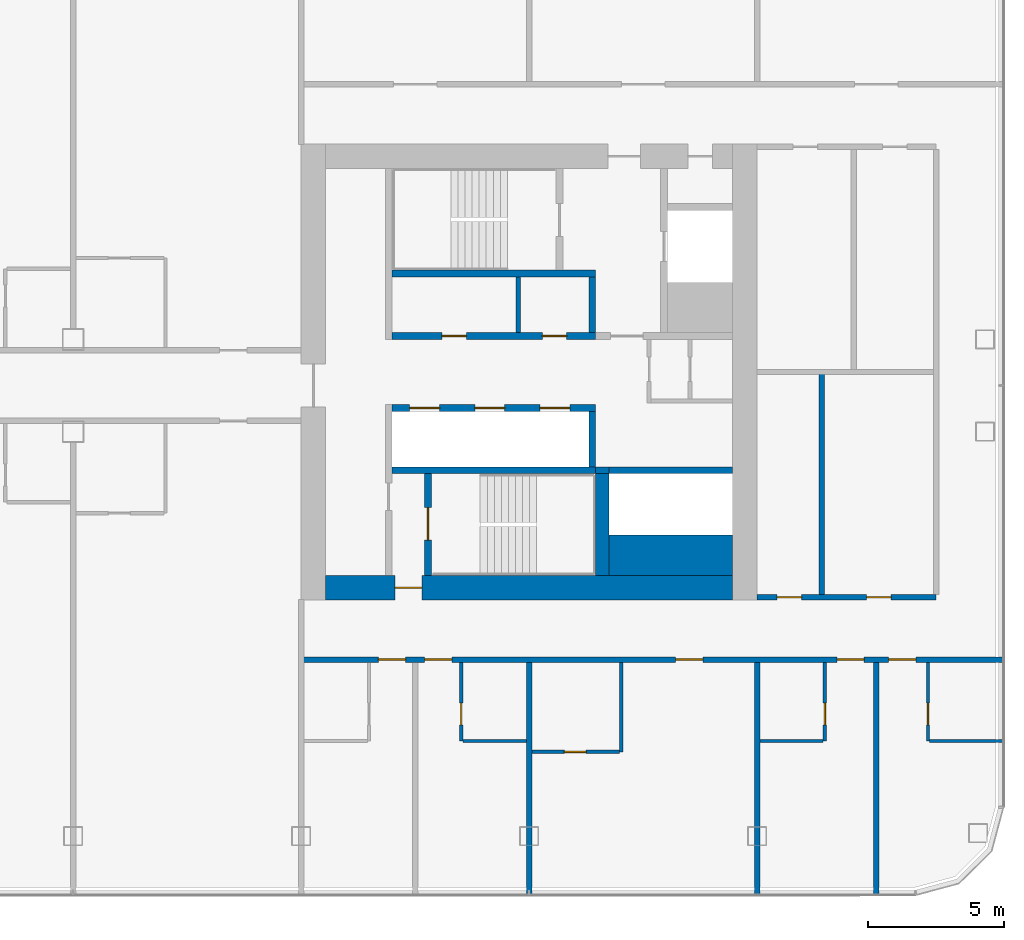
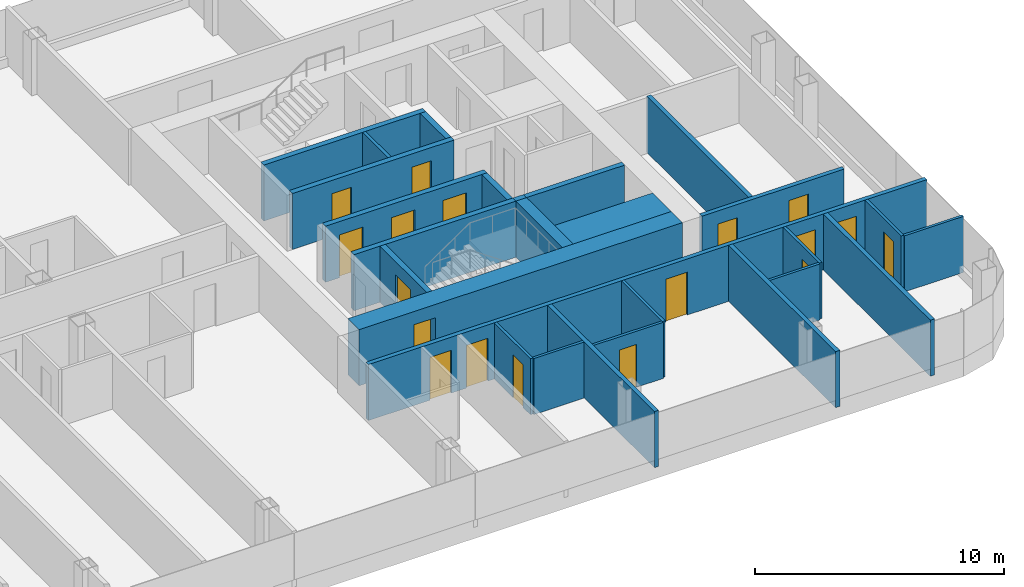
# One storey, part 16 of 26: 27 walls, 18 doors, 18 openings.
"""IFC4 building model written with IfcOpenShell, lengths in metres."""

from ifc_helpers import new_model, si_unit, direction, frame, frame_2d, origin, place, context, subcontext, project, spatial, rectangle, extrude, material, layer, layer_set, type_object, element, fill, save


model = new_model("IFC4")

# Units and contexts
model_context = context("Model", 3, precision=1e-05, world=origin(), true_north=direction((0.0, 1.0)))
body_context = subcontext(model_context, "Body", "Model", "MODEL_VIEW")
ifc_project = project(units=[si_unit("LENGTHUNIT", "METRE"), si_unit("AREAUNIT", "SQUARE_METRE"), si_unit("VOLUMEUNIT", "CUBIC_METRE"), si_unit("PLANEANGLEUNIT", "RADIAN"), si_unit("MASSUNIT", "GRAM", prefix="KILO")], contexts=[model_context])

# Site, building, storey
site_placement = place(None, origin())
site = spatial("IfcSite", under=ifc_project, at=site_placement, CompositionType="ELEMENT")
building_placement = place(site_placement, origin())
building = spatial("IfcBuilding", under=site, at=building_placement, Name="Hakoniwa Tower and Hamabe Station Hall", CompositionType="ELEMENT")
storey_placement = place(building_placement, frame((0.0, 0.0, 156.60009765625)))
storey = spatial("IfcBuildingStorey", under=building, at=storey_placement, Name="L44", CompositionType="ELEMENT", Elevation=156.60009765625)

# Wall, opening, door
ifc_material_1 = material(Name="Gypsum board partition", Category="gypsum")
ifc_layer_1 = layer(ifc_material_1, 0.125)
ifc_layer_set_1 = layer_set([ifc_layer_1], Name="Bathroom Partition 125")
wall_type_1 = type_object("IfcWallType", Name="Bathroom Partition 125", PredefinedType="PARTITIONING", material=ifc_layer_set_1)
wall_1_placement = place(storey_placement, frame((25.300048828125, -14.0, 0.0), z_axis=(0.0, 0.0, 1.0), x_axis=(1.0, 0.0, 0.0)))
wall_1 = element("IfcWall", 1, at=wall_1_placement, inside=storey, type_object=wall_type_1, Name="GW-L44-003", PredefinedType="PARTITIONING", context=body_context, shape_type="SweptSolid", body=[
    extrude(rectangle(XDim=3.237548828125, YDim=0.125, at=frame_2d((1.61865234375, 0.0))), origin(), (0.0, 0.0, 1.0), 2.75),
])
opening_1_placement = place(wall_1_placement, frame((1.199951171875, 0.0, 0.0)))
opening_1 = element("IfcOpeningElement", 2, at=opening_1_placement, cuts=wall_1, Name="Opening GD-G3D1-03", PredefinedType="OPENING", context=body_context, shape_type="SweptSolid", body=[
    extrude(rectangle(XDim=0.800048828125, YDim=2.10009765625, at=frame_2d((0.39990234375, 1.050048828125))), frame((0.0, 0.072509765625, 0.0), z_axis=(0.0, -1.0, 0.0), x_axis=(1.0, 0.0, 0.0)), (0.0, 0.0, 1.0), 0.14501953125),
])
ifc_material_2 = material(Name="Timber door leaf", Category="wood")
door_type_1 = type_object("IfcDoorType", Name="Bathroom Door 800", OperationType="SINGLE_SWING_LEFT", PredefinedType="DOOR", material=ifc_material_2)
door_1_placement = place(opening_1_placement, origin())
door_1 = element("IfcDoor", 3, at=door_1_placement, inside=storey, type_object=door_type_1, Name="Door GD-G3D1-03", OperationType="SINGLE_SWING_RIGHT", OverallHeight=2.10009765625, OverallWidth=0.800048828125, PredefinedType="DOOR", context=body_context, shape_type="SweptSolid", body=[
    extrude(rectangle(XDim=0.800048828125, YDim=2.10009765625, at=frame_2d((0.39990234375, 1.050048828125))), frame((0.0, 0.02490234375, 0.0), z_axis=(0.0, -1.0, 0.0), x_axis=(1.0, 0.0, 0.0)), (0.0, 0.0, 1.0), 0.050048828125),
])
fill(opening_1, door_1)

# Walls
for number, where, z_axis, x_axis, name in (
    (4, (22.762451171875, -13.60009765625, 0.0), (0.0, 0.0, 1.0), (1.0, 0.0, 0.0), "GW-L44-007"),
    (5, (33.699951171875, -13.60009765625, 0.0), (0.0, 0.0, 1.0), (1.0, 0.0, 0.0), "GW-L44-008"),
):
    element("IfcWall", number, at=place(storey_placement, frame(where, z_axis=z_axis, x_axis=x_axis)), inside=storey, type_object=wall_type_1, Name=name, PredefinedType="PARTITIONING", context=body_context, shape_type="SweptSolid", body=[
        extrude(rectangle(XDim=2.337646484375, YDim=0.125, at=frame_2d((1.1689453125, 0.0))), origin(), (0.0, 0.0, 1.0), 2.75),
    ])
wall_2_placement = place(storey_placement, frame((39.96240234375, -13.60009765625, 0.0), z_axis=(0.0, 0.0, 1.0), x_axis=(1.0, 0.0, 0.0)))
element("IfcWall", 6, at=wall_2_placement, inside=storey, type_object=wall_type_1, Name="GW-L44-009", PredefinedType="PARTITIONING", context=body_context, shape_type="SweptSolid", body=[
    extrude(rectangle(XDim=2.737548828125, YDim=0.125, at=frame_2d((1.36865234375, 0.0))), origin(), (0.0, 0.0, 1.0), 2.75),
])

# Wall, opening, door
wall_3_placement = place(storey_placement, frame((22.699951171875, -13.60009765625, 0.0), z_axis=(0.0, 0.0, 1.0), x_axis=(0.0, 1.0, 0.0)))
wall_3 = element("IfcWall", 7, at=wall_3_placement, inside=storey, type_object=wall_type_1, Name="GW-L44-076", PredefinedType="PARTITIONING", context=body_context, shape_type="SweptSolid", body=[
    extrude(rectangle(XDim=2.900146484375, YDim=0.125, at=frame_2d((1.4501953125, 0.0))), origin(), (0.0, 0.0, 1.0), 2.75),
])
opening_2_placement = place(wall_3_placement, frame((0.60009765625, 0.0, 0.0)))
opening_2 = element("IfcOpeningElement", 8, at=opening_2_placement, cuts=wall_3, Name="Opening GD-G3D1-57", PredefinedType="OPENING", context=body_context, shape_type="SweptSolid", body=[
    extrude(rectangle(XDim=0.800048828125, YDim=2.10009765625, at=frame_2d((0.39990234375, 1.050048828125))), frame((0.0, 0.072509765625, 0.0), z_axis=(0.0, -1.0, 0.0), x_axis=(1.0, 0.0, 0.0)), (0.0, 0.0, 1.0), 0.14501953125),
])
door_2_placement = place(opening_2_placement, origin())
door_2 = element("IfcDoor", 9, at=door_2_placement, inside=storey, type_object=door_type_1, Name="Door GD-G3D1-57", OperationType="SINGLE_SWING_LEFT", OverallHeight=2.10009765625, OverallWidth=0.800048828125, PredefinedType="DOOR", context=body_context, shape_type="SweptSolid", body=[
    extrude(rectangle(XDim=0.800048828125, YDim=2.10009765625, at=frame_2d((0.39990234375, 1.050048828125))), frame((0.0, 0.02490234375, 0.0), z_axis=(0.0, -1.0, 0.0), x_axis=(1.0, 0.0, 0.0)), (0.0, 0.0, 1.0), 0.050048828125),
])
fill(opening_2, door_2)

# Wall
wall_4_placement = place(storey_placement, frame((28.60009765625, -14.0, 0.0), z_axis=(0.0, 0.0, 1.0), x_axis=(0.0, 1.0, 0.0)))
element("IfcWall", 10, at=wall_4_placement, inside=storey, type_object=wall_type_1, Name="GW-L44-079", PredefinedType="PARTITIONING", context=body_context, shape_type="SweptSolid", body=[
    extrude(rectangle(XDim=3.300048828125, YDim=0.125, at=frame_2d((1.64990234375, 0.0))), origin(), (0.0, 0.0, 1.0), 2.75),
])

# Wall, opening, door
wall_5_placement = place(storey_placement, frame((36.10009765625, -13.60009765625, 0.0), z_axis=(0.0, 0.0, 1.0), x_axis=(0.0, 1.0, 0.0)))
wall_5 = element("IfcWall", 11, at=wall_5_placement, inside=storey, type_object=wall_type_1, Name="GW-L44-083", PredefinedType="PARTITIONING", context=body_context, shape_type="SweptSolid", body=[
    extrude(rectangle(XDim=2.900146484375, YDim=0.125, at=frame_2d((1.4501953125, 0.0))), origin(), (0.0, 0.0, 1.0), 2.75),
])
opening_3_placement = place(wall_5_placement, frame((0.60009765625, 0.0, 0.0)))
opening_3 = element("IfcOpeningElement", 12, at=opening_3_placement, cuts=wall_5, Name="Opening GD-G3D1-58", PredefinedType="OPENING", context=body_context, shape_type="SweptSolid", body=[
    extrude(rectangle(XDim=0.800048828125, YDim=2.10009765625, at=frame_2d((0.39990234375, 1.050048828125))), frame((0.0, 0.072509765625, 0.0), z_axis=(0.0, -1.0, 0.0), x_axis=(1.0, 0.0, 0.0)), (0.0, 0.0, 1.0), 0.14501953125),
])
door_3_placement = place(opening_3_placement, origin())
door_3 = element("IfcDoor", 13, at=door_3_placement, inside=storey, type_object=door_type_1, Name="Door GD-G3D1-58", OperationType="SINGLE_SWING_RIGHT", OverallHeight=2.10009765625, OverallWidth=0.800048828125, PredefinedType="DOOR", context=body_context, shape_type="SweptSolid", body=[
    extrude(rectangle(XDim=0.800048828125, YDim=2.10009765625, at=frame_2d((0.39990234375, 1.050048828125))), frame((0.0, 0.02490234375, 0.0), z_axis=(0.0, -1.0, 0.0), x_axis=(1.0, 0.0, 0.0)), (0.0, 0.0, 1.0), 0.050048828125),
])
fill(opening_3, door_3)

wall_6_placement = place(storey_placement, frame((39.89990234375, -13.60009765625, 0.0), z_axis=(0.0, 0.0, 1.0), x_axis=(0.0, 1.0, 0.0)))
wall_6 = element("IfcWall", 14, at=wall_6_placement, inside=storey, type_object=wall_type_1, Name="GW-L44-086", PredefinedType="PARTITIONING", context=body_context, shape_type="SweptSolid", body=[
    extrude(rectangle(XDim=2.900146484375, YDim=0.125, at=frame_2d((1.4501953125, 0.0))), origin(), (0.0, 0.0, 1.0), 2.75),
])
opening_4_placement = place(wall_6_placement, frame((0.60009765625, 0.0, 0.0)))
opening_4 = element("IfcOpeningElement", 15, at=opening_4_placement, cuts=wall_6, Name="Opening GD-G3D1-59", PredefinedType="OPENING", context=body_context, shape_type="SweptSolid", body=[
    extrude(rectangle(XDim=0.800048828125, YDim=2.10009765625, at=frame_2d((0.39990234375, 1.050048828125))), frame((0.0, 0.072509765625, 0.0), z_axis=(0.0, -1.0, 0.0), x_axis=(1.0, 0.0, 0.0)), (0.0, 0.0, 1.0), 0.14501953125),
])
door_4_placement = place(opening_4_placement, origin())
door_4 = element("IfcDoor", 16, at=door_4_placement, inside=storey, type_object=door_type_1, Name="Door GD-G3D1-59", OperationType="SINGLE_SWING_LEFT", OverallHeight=2.10009765625, OverallWidth=0.800048828125, PredefinedType="DOOR", context=body_context, shape_type="SweptSolid", body=[
    extrude(rectangle(XDim=0.800048828125, YDim=2.10009765625, at=frame_2d((0.39990234375, 1.050048828125))), frame((0.0, 0.02490234375, 0.0), z_axis=(0.0, -1.0, 0.0), x_axis=(1.0, 0.0, 0.0)), (0.0, 0.0, 1.0), 0.050048828125),
])
fill(opening_4, door_4)

# Wall
ifc_material_3 = material(Name="Gypsum board partition")
ifc_layer_2 = layer(ifc_material_3, 0.14990234375)
ifc_layer_set_2 = layer_set([ifc_layer_2], Name="CORE PARTITION 150 EI 60")
wall_type_2 = type_object("IfcWallType", Name="CORE PARTITION 150 EI 60", PredefinedType="PARTITIONING", material=ifc_layer_set_2)
wall_7_placement = place(storey_placement, frame((24.800048828125, 1.449951171875, 0.0), z_axis=(0.0, 0.0, 1.0), x_axis=(0.0, 1.0, 0.0)))
element("IfcWall", 17, at=wall_7_placement, inside=storey, type_object=wall_type_2, Name="Core partition PFLR0 east", PredefinedType="PARTITIONING", context=body_context, shape_type="SweptSolid", body=[
    extrude(rectangle(XDim=2.050048828125, YDim=0.14990234375, at=frame_2d((1.02490234375, 0.0))), origin(), (0.0, 0.0, 1.0), 2.75),
])

# Wall, opening, door
ifc_material_4 = material(Name="Concrete C66", Category="concrete")
ifc_layer_3 = layer(ifc_material_4, 0.89990234375)
ifc_layer_set_3 = layer_set([ifc_layer_3], Name="CORE WALL 900 C66")
wall_type_3 = type_object("IfcWallType", Name="CORE WALL 900 C66", PredefinedType="SHEAR", material=ifc_layer_set_3)
wall_8_placement = place(storey_placement, frame((17.699951171875, -7.949951171875, 0.0), z_axis=(0.0, 0.0, 1.0), x_axis=(1.0, 0.0, 0.0)))
wall_8 = element("IfcWall", 18, at=wall_8_placement, inside=storey, type_object=wall_type_3, Name="Core wall SOUTH east", PredefinedType="SHEAR", context=body_context, shape_type="SweptSolid", body=[
    extrude(rectangle(XDim=15.0, YDim=0.89990234375, at=frame_2d((7.5, 0.0))), origin(), (0.0, 0.0, 1.0), 2.75),
])
opening_5_placement = place(wall_8_placement, frame((2.550048828125, 0.0, 0.0)))
opening_5 = element("IfcOpeningElement", 19, at=opening_5_placement, cuts=wall_8, Name="Opening CD-E-FS3-10", PredefinedType="OPENING", context=body_context, shape_type="SweptSolid", body=[
    extrude(rectangle(XDim=1.0, YDim=2.10009765625, at=frame_2d((0.5, 1.050048828125))), frame((0.0, 0.4599609375, 0.0), z_axis=(0.0, -1.0, 0.0), x_axis=(1.0, 0.0, 0.0)), (0.0, 0.0, 1.0), 0.919921875),
])
ifc_material_5 = material(Name="Steel fire door", Category="steel")
door_type_2 = type_object("IfcDoorType", Name="CORE DOOR 1000 FD60", OperationType="NOTDEFINED", PredefinedType="DOOR", material=ifc_material_5)
door_5_placement = place(opening_5_placement, origin())
door_5 = element("IfcDoor", 20, at=door_5_placement, inside=storey, type_object=door_type_2, Name="Stair vestibule door", OperationType="SINGLE_SWING_RIGHT", OverallHeight=2.10009765625, OverallWidth=1.0, PredefinedType="DOOR", context=body_context, shape_type="SweptSolid", body=[
    extrude(rectangle(XDim=1.0, YDim=2.10009765625, at=frame_2d((0.5, 1.050048828125))), frame((0.0, 0.02490234375, 0.0), z_axis=(0.0, -1.0, 0.0), x_axis=(1.0, 0.0, 0.0)), (0.0, 0.0, 1.0), 0.050048828125),
])
fill(opening_5, door_5)

# Wall
ifc_material_6 = material(Name="Concrete C66", Category="concrete")
ifc_layer_4 = layer(ifc_material_6, 1.5)
ifc_layer_set_4 = layer_set([ifc_layer_4], Name="CORE WEB WALL 1500 C66")
wall_type_4 = type_object("IfcWallType", Name="CORE WEB WALL 1500 C66", PredefinedType="SHEAR", material=ifc_layer_set_4)
wall_9_placement = place(storey_placement, frame((28.14990234375, -6.75, 0.0), z_axis=(0.0, 0.0, 1.0), x_axis=(1.0, 0.0, 0.0)))
element("IfcWall", 21, at=wall_9_placement, inside=storey, type_object=wall_type_4, Name="Core wall SER east", PredefinedType="SHEAR", context=body_context, shape_type="SweptSolid", body=[
    extrude(rectangle(XDim=4.550048828125, YDim=1.5, at=frame_2d((2.27490234375, 0.0))), origin(), (0.0, 0.0, 1.0), 2.75),
])

# Wall, openings, doors
ifc_material_7 = material(Name="Concrete C66", Category="concrete")
ifc_layer_5 = layer(ifc_material_7, 0.25)
ifc_layer_set_5 = layer_set([ifc_layer_5], Name="CORE WEB WALL 250 C66")
wall_type_5 = type_object("IfcWallType", Name="CORE WEB WALL 250 C66", PredefinedType="SHEAR", material=ifc_layer_set_5)
wall_10_placement = place(storey_placement, frame((20.14990234375, 1.324951171875, 0.0), z_axis=(0.0, 0.0, 1.0), x_axis=(1.0, 0.0, 0.0)))
wall_10 = element("IfcWall", 22, at=wall_10_placement, inside=storey, type_object=wall_type_5, Name="Core wall NF east", PredefinedType="SHEAR", context=body_context, shape_type="SweptSolid", body=[
    extrude(rectangle(XDim=7.5, YDim=0.25, at=frame_2d((3.75, 0.0))), origin(), (0.0, 0.0, 1.0), 2.75),
])
opening_6_placement = place(wall_10_placement, frame((1.83740234375, 0.0, 0.0)))
opening_6 = element("IfcOpeningElement", 23, at=opening_6_placement, cuts=wall_10, Name="Opening CD-E-FRLR0-9", PredefinedType="OPENING", context=body_context, shape_type="SweptSolid", body=[
    extrude(rectangle(XDim=0.89990234375, YDim=2.10009765625, at=frame_2d((0.449951171875, 1.050048828125))), frame((0.0, 0.135009765625, 0.0), z_axis=(0.0, -1.0, 0.0), x_axis=(1.0, 0.0, 0.0)), (0.0, 0.0, 1.0), 0.27001953125),
])
opening_7_placement = place(wall_10_placement, frame((5.53759765625, 0.0, 0.0)))
opening_7 = element("IfcOpeningElement", 24, at=opening_7_placement, cuts=wall_10, Name="Opening CD-E-FRLR1-9", PredefinedType="OPENING", context=body_context, shape_type="SweptSolid", body=[
    extrude(rectangle(XDim=0.89990234375, YDim=2.10009765625, at=frame_2d((0.449951171875, 1.050048828125))), frame((0.0, 0.135009765625, 0.0), z_axis=(0.0, -1.0, 0.0), x_axis=(1.0, 0.0, 0.0)), (0.0, 0.0, 1.0), 0.27001953125),
])
ifc_material_8 = material(Name="Steel fire door", Category="steel")
door_type_3 = type_object("IfcDoorType", Name="CORE DOOR 900 FD30", OperationType="NOTDEFINED", PredefinedType="DOOR", material=ifc_material_8)
door_6_placement = place(opening_6_placement, origin())
door_6 = element("IfcDoor", 25, at=door_6_placement, inside=storey, type_object=door_type_3, Name="Store room door", OperationType="SINGLE_SWING_RIGHT", OverallHeight=2.10009765625, OverallWidth=0.89990234375, PredefinedType="DOOR", context=body_context, shape_type="SweptSolid", body=[
    extrude(rectangle(XDim=0.89990234375, YDim=2.10009765625, at=frame_2d((0.449951171875, 1.050048828125))), frame((0.0, 0.02490234375, 0.0), z_axis=(0.0, -1.0, 0.0), x_axis=(1.0, 0.0, 0.0)), (0.0, 0.0, 1.0), 0.050048828125),
])
fill(opening_6, door_6)
door_7_placement = place(opening_7_placement, origin())
door_7 = element("IfcDoor", 26, at=door_7_placement, inside=storey, type_object=door_type_3, Name="Store room door", OperationType="SINGLE_SWING_LEFT", OverallHeight=2.10009765625, OverallWidth=0.89990234375, PredefinedType="DOOR", context=body_context, shape_type="SweptSolid", body=[
    extrude(rectangle(XDim=0.89990234375, YDim=2.10009765625, at=frame_2d((0.449951171875, 1.050048828125))), frame((0.0, 0.02490234375, 0.0), z_axis=(0.0, -1.0, 0.0), x_axis=(1.0, 0.0, 0.0)), (0.0, 0.0, 1.0), 0.050048828125),
])
fill(opening_7, door_7)

# Walls
wall_11_placement = place(storey_placement, frame((27.52490234375, 1.449951171875, 0.0), z_axis=(0.0, 0.0, 1.0), x_axis=(0.0, 1.0, 0.0)))
element("IfcWall", 27, at=wall_11_placement, inside=storey, type_object=wall_type_5, Name="Core wall NE east", PredefinedType="SHEAR", context=body_context, shape_type="SweptSolid", body=[
    extrude(rectangle(XDim=2.050048828125, YDim=0.25, at=frame_2d((1.02490234375, 0.0))), origin(), (0.0, 0.0, 1.0), 2.75),
])
wall_12_placement = place(storey_placement, frame((20.14990234375, 3.625, 0.0), z_axis=(0.0, 0.0, 1.0), x_axis=(1.0, 0.0, 0.0)))
element("IfcWall", 28, at=wall_12_placement, inside=storey, type_object=wall_type_5, Name="Core wall NR east", PredefinedType="SHEAR", context=body_context, shape_type="SweptSolid", body=[
    extrude(rectangle(XDim=7.5, YDim=0.25, at=frame_2d((3.75, 0.0))), origin(), (0.0, 0.0, 1.0), 2.75),
])

# Wall, openings, doors
wall_13_placement = place(storey_placement, frame((20.14990234375, -1.324951171875, 0.0), z_axis=(0.0, 0.0, 1.0), x_axis=(1.0, 0.0, 0.0)))
wall_13 = element("IfcWall", 29, at=wall_13_placement, inside=storey, type_object=wall_type_5, Name="Core wall SF east", PredefinedType="SHEAR", context=body_context, shape_type="SweptSolid", body=[
    extrude(rectangle(XDim=7.5, YDim=0.25, at=frame_2d((3.75, 0.0))), origin(), (0.0, 0.0, 1.0), 2.75),
])
opening_8_placement = place(wall_13_placement, frame((0.64990234375, 0.0, 0.0)))
opening_8 = element("IfcOpeningElement", 30, at=opening_8_placement, cuts=wall_13, Name="Opening LD-HR4", PredefinedType="OPENING", context=body_context, shape_type="SweptSolid", body=[
    extrude(rectangle(XDim=1.10009765625, YDim=2.10009765625, at=frame_2d((0.550048828125, 1.050048828125))), frame((0.0, 0.135009765625, 0.0), z_axis=(0.0, -1.0, 0.0), x_axis=(1.0, 0.0, 0.0)), (0.0, 0.0, 1.0), 0.27001953125),
])
opening_9_placement = place(wall_13_placement, frame((3.050048828125, 0.0, 0.0)))
opening_9 = element("IfcOpeningElement", 31, at=opening_9_placement, cuts=wall_13, Name="Opening LD-HR5", PredefinedType="OPENING", context=body_context, shape_type="SweptSolid", body=[
    extrude(rectangle(XDim=1.10009765625, YDim=2.10009765625, at=frame_2d((0.550048828125, 1.050048828125))), frame((0.0, 0.135009765625, 0.0), z_axis=(0.0, -1.0, 0.0), x_axis=(1.0, 0.0, 0.0)), (0.0, 0.0, 1.0), 0.27001953125),
])
opening_10_placement = place(wall_13_placement, frame((5.449951171875, 0.0, 0.0)))
opening_10 = element("IfcOpeningElement", 32, at=opening_10_placement, cuts=wall_13, Name="Opening LD-HR6", PredefinedType="OPENING", context=body_context, shape_type="SweptSolid", body=[
    extrude(rectangle(XDim=1.10009765625, YDim=2.10009765625, at=frame_2d((0.550048828125, 1.050048828125))), frame((0.0, 0.135009765625, 0.0), z_axis=(0.0, -1.0, 0.0), x_axis=(1.0, 0.0, 0.0)), (0.0, 0.0, 1.0), 0.27001953125),
])
ifc_material_9 = material(Name="Stainless steel SUS304", Category="steel")
door_type_4 = type_object("IfcDoorType", Name="LIFT LANDING DOOR 1100 FD60", OperationType="DOUBLE_DOOR_SLIDING", PredefinedType="DOOR", material=ifc_material_9)
door_8_placement = place(opening_8_placement, origin())
door_8 = element("IfcDoor", 33, at=door_8_placement, inside=storey, type_object=door_type_4, Name="Lift landing door HR4 L44", OperationType="DOUBLE_DOOR_SLIDING", OverallHeight=2.10009765625, OverallWidth=1.10009765625, PredefinedType="DOOR", context=body_context, shape_type="SweptSolid", body=[
    extrude(rectangle(XDim=1.10009765625, YDim=2.10009765625, at=frame_2d((0.550048828125, 1.050048828125))), frame((0.0, 0.02490234375, 0.0), z_axis=(0.0, -1.0, 0.0), x_axis=(1.0, 0.0, 0.0)), (0.0, 0.0, 1.0), 0.050048828125),
])
fill(opening_8, door_8)
door_9_placement = place(opening_9_placement, origin())
door_9 = element("IfcDoor", 34, at=door_9_placement, inside=storey, type_object=door_type_4, Name="Lift landing door HR5 L44", OperationType="DOUBLE_DOOR_SLIDING", OverallHeight=2.10009765625, OverallWidth=1.10009765625, PredefinedType="DOOR", context=body_context, shape_type="SweptSolid", body=[
    extrude(rectangle(XDim=1.10009765625, YDim=2.10009765625, at=frame_2d((0.550048828125, 1.050048828125))), frame((0.0, 0.02490234375, 0.0), z_axis=(0.0, -1.0, 0.0), x_axis=(1.0, 0.0, 0.0)), (0.0, 0.0, 1.0), 0.050048828125),
])
fill(opening_9, door_9)
door_10_placement = place(opening_10_placement, origin())
door_10 = element("IfcDoor", 35, at=door_10_placement, inside=storey, type_object=door_type_4, Name="Lift landing door HR6 L44", OperationType="DOUBLE_DOOR_SLIDING", OverallHeight=2.10009765625, OverallWidth=1.10009765625, PredefinedType="DOOR", context=body_context, shape_type="SweptSolid", body=[
    extrude(rectangle(XDim=1.10009765625, YDim=2.10009765625, at=frame_2d((0.550048828125, 1.050048828125))), frame((0.0, 0.02490234375, 0.0), z_axis=(0.0, -1.0, 0.0), x_axis=(1.0, 0.0, 0.0)), (0.0, 0.0, 1.0), 0.050048828125),
])
fill(opening_10, door_10)

# Walls
wall_14_placement = place(storey_placement, frame((27.52490234375, -3.5, 0.0), z_axis=(0.0, 0.0, 1.0), x_axis=(0.0, 1.0, 0.0)))
element("IfcWall", 36, at=wall_14_placement, inside=storey, type_object=wall_type_5, Name="Core wall SE east", PredefinedType="SHEAR", context=body_context, shape_type="SweptSolid", body=[
    extrude(rectangle(XDim=2.050048828125, YDim=0.25, at=frame_2d((1.02490234375, 0.0))), origin(), (0.0, 0.0, 1.0), 2.75),
])
wall_15_placement = place(storey_placement, frame((20.14990234375, -3.625, 0.0), z_axis=(0.0, 0.0, 1.0), x_axis=(1.0, 0.0, 0.0)))
element("IfcWall", 37, at=wall_15_placement, inside=storey, type_object=wall_type_5, Name="Core wall SR east", PredefinedType="SHEAR", context=body_context, shape_type="SweptSolid", body=[
    extrude(rectangle(XDim=7.5, YDim=0.25, at=frame_2d((3.75, 0.0))), origin(), (0.0, 0.0, 1.0), 2.75),
])

# Wall, opening, door
wall_16_placement = place(storey_placement, frame((21.47509765625, -7.5, 0.0), z_axis=(0.0, 0.0, 1.0), x_axis=(0.0, 1.0, 0.0)))
wall_16 = element("IfcWall", 38, at=wall_16_placement, inside=storey, type_object=wall_type_5, Name="Core wall VE east", PredefinedType="SHEAR", context=body_context, shape_type="SweptSolid", body=[
    extrude(rectangle(XDim=3.75, YDim=0.25, at=frame_2d((1.875, 0.0))), origin(), (0.0, 0.0, 1.0), 2.75),
])
opening_11_placement = place(wall_16_placement, frame((1.300048828125, 0.0, 0.0)))
opening_11 = element("IfcOpeningElement", 39, at=opening_11_placement, cuts=wall_16, Name="Opening CD-E-SS-12", PredefinedType="OPENING", context=body_context, shape_type="SweptSolid", body=[
    extrude(rectangle(XDim=1.199951171875, YDim=2.10009765625, at=frame_2d((0.60009765625, 1.050048828125))), frame((0.0, 0.135009765625, 0.0), z_axis=(0.0, -1.0, 0.0), x_axis=(1.0, 0.0, 0.0)), (0.0, 0.0, 1.0), 0.27001953125),
])
ifc_material_10 = material(Name="Steel fire door", Category="steel")
door_type_5 = type_object("IfcDoorType", Name="CORE DOOR 1200 FD60", OperationType="DOUBLE_DOOR_SINGLE_SWING", PredefinedType="DOOR", material=ifc_material_10)
door_11_placement = place(opening_11_placement, origin())
door_11 = element("IfcDoor", 40, at=door_11_placement, inside=storey, type_object=door_type_5, Name="Escape stair door", OperationType="DOUBLE_DOOR_SINGLE_SWING", OverallHeight=2.10009765625, OverallWidth=1.199951171875, PredefinedType="DOOR", context=body_context, shape_type="SweptSolid", body=[
    extrude(rectangle(XDim=1.199951171875, YDim=2.10009765625, at=frame_2d((0.60009765625, 1.050048828125))), frame((0.0, 0.02490234375, 0.0), z_axis=(0.0, -1.0, 0.0), x_axis=(1.0, 0.0, 0.0)), (0.0, 0.0, 1.0), 0.050048828125),
])
fill(opening_11, door_11)

# Walls
wall_17_placement = place(storey_placement, frame((28.14990234375, -3.625, 0.0), z_axis=(0.0, 0.0, 1.0), x_axis=(1.0, 0.0, 0.0)))
element("IfcWall", 41, at=wall_17_placement, inside=storey, type_object=wall_type_5, Name="Core wall SEF east", PredefinedType="SHEAR", context=body_context, shape_type="SweptSolid", body=[
    extrude(rectangle(XDim=4.550048828125, YDim=0.25, at=frame_2d((2.27490234375, 0.0))), origin(), (0.0, 0.0, 1.0), 2.75),
])
wall_18_placement = place(storey_placement, frame((27.64990234375, -3.625, 0.0), z_axis=(0.0, 0.0, 1.0), x_axis=(1.0, 0.0, 0.0)))
element("IfcWall", 42, at=wall_18_placement, inside=storey, type_object=wall_type_5, Name="Core wall SRK east", PredefinedType="SHEAR", context=body_context, shape_type="SweptSolid", body=[
    extrude(rectangle(XDim=0.5, YDim=0.25, at=frame_2d((0.25, 0.0))), origin(), (0.0, 0.0, 1.0), 2.75),
])
ifc_material_11 = material(Name="Concrete C66", Category="concrete")
ifc_layer_6 = layer(ifc_material_11, 0.5)
ifc_layer_set_6 = layer_set([ifc_layer_6], Name="CORE WEB WALL 500 C66")
wall_type_6 = type_object("IfcWallType", Name="CORE WEB WALL 500 C66", PredefinedType="SHEAR", material=ifc_layer_set_6)
wall_19_placement = place(storey_placement, frame((27.89990234375, -7.5, 0.0), z_axis=(0.0, 0.0, 1.0), x_axis=(0.0, 1.0, 0.0)))
element("IfcWall", 43, at=wall_19_placement, inside=storey, type_object=wall_type_6, Name="Core wall SSE east", PredefinedType="SHEAR", context=body_context, shape_type="SweptSolid", body=[
    extrude(rectangle(XDim=3.75, YDim=0.5, at=frame_2d((1.875, 0.0))), origin(), (0.0, 0.0, 1.0), 2.75),
])

# Wall, openings, doors
ifc_material_12 = material(Name="Fire-rated gypsum board partition", Category="gypsum")
ifc_layer_7 = layer(ifc_material_12, 0.199951171875)
ifc_layer_set_7 = layer_set([ifc_layer_7], Name="Corridor Wall 200")
wall_type_7 = type_object("IfcWallType", Name="Corridor Wall 200", PredefinedType="PARTITIONING", material=ifc_layer_set_7)
wall_20_placement = place(storey_placement, frame((16.800048828125, -10.60009765625, 0.0), z_axis=(0.0, 0.0, 1.0), x_axis=(1.0, 0.0, 0.0)))
wall_20 = element("IfcWall", 44, at=wall_20_placement, inside=storey, type_object=wall_type_7, Name="GW-L44-011", PredefinedType="PARTITIONING", context=body_context, shape_type="SweptSolid", body=[
    extrude(rectangle(XDim=25.89990234375, YDim=0.199951171875, at=frame_2d((12.949951171875, 0.0))), origin(), (0.0, 0.0, 1.0), 2.75),
])
opening_12_placement = place(wall_20_placement, frame((2.85009765625, 0.0, 0.0)))
opening_12 = element("IfcOpeningElement", 45, at=opening_12_placement, cuts=wall_20, Name="Opening GD-G3D1-08", PredefinedType="OPENING", context=body_context, shape_type="SweptSolid", body=[
    extrude(rectangle(XDim=1.0, YDim=2.10009765625, at=frame_2d((0.5, 1.050048828125))), frame((0.0, 0.10986328125, 0.0), z_axis=(0.0, -1.0, 0.0), x_axis=(1.0, 0.0, 0.0)), (0.0, 0.0, 1.0), 0.219970703125),
])
opening_13_placement = place(wall_20_placement, frame((4.550048828125, 0.0, 0.0)))
opening_13 = element("IfcOpeningElement", 46, at=opening_13_placement, cuts=wall_20, Name="Opening GD-G3D1-09", PredefinedType="OPENING", context=body_context, shape_type="SweptSolid", body=[
    extrude(rectangle(XDim=1.0, YDim=2.10009765625, at=frame_2d((0.5, 1.050048828125))), frame((0.0, 0.10986328125, 0.0), z_axis=(0.0, -1.0, 0.0), x_axis=(1.0, 0.0, 0.0)), (0.0, 0.0, 1.0), 0.219970703125),
])
opening_14_placement = place(wall_20_placement, frame((13.800048828125, 0.0, 0.0)))
opening_14 = element("IfcOpeningElement", 47, at=opening_14_placement, cuts=wall_20, Name="Opening GD-G3D1-10", PredefinedType="OPENING", context=body_context, shape_type="SweptSolid", body=[
    extrude(rectangle(XDim=1.0, YDim=2.10009765625, at=frame_2d((0.5, 1.050048828125))), frame((0.0, 0.10986328125, 0.0), z_axis=(0.0, -1.0, 0.0), x_axis=(1.0, 0.0, 0.0)), (0.0, 0.0, 1.0), 0.219970703125),
])
opening_15_placement = place(wall_20_placement, frame((19.75, 0.0, 0.0)))
opening_15 = element("IfcOpeningElement", 48, at=opening_15_placement, cuts=wall_20, Name="Opening GD-G3D1-11", PredefinedType="OPENING", context=body_context, shape_type="SweptSolid", body=[
    extrude(rectangle(XDim=1.0, YDim=2.10009765625, at=frame_2d((0.5, 1.050048828125))), frame((0.0, 0.10986328125, 0.0), z_axis=(0.0, -1.0, 0.0), x_axis=(1.0, 0.0, 0.0)), (0.0, 0.0, 1.0), 0.219970703125),
])
opening_16_placement = place(wall_20_placement, frame((21.64990234375, 0.0, 0.0)))
opening_16 = element("IfcOpeningElement", 49, at=opening_16_placement, cuts=wall_20, Name="Opening GD-G3D1-12", PredefinedType="OPENING", context=body_context, shape_type="SweptSolid", body=[
    extrude(rectangle(XDim=1.0, YDim=2.10009765625, at=frame_2d((0.5, 1.050048828125))), frame((0.0, 0.10986328125, 0.0), z_axis=(0.0, -1.0, 0.0), x_axis=(1.0, 0.0, 0.0)), (0.0, 0.0, 1.0), 0.219970703125),
])
ifc_material_13 = material(Name="Timber door leaf", Category="wood")
door_type_6 = type_object("IfcDoorType", Name="Guest Entrance Door 1000", OperationType="SINGLE_SWING_LEFT", PredefinedType="DOOR", material=ifc_material_13)
door_12_placement = place(opening_12_placement, origin())
door_12 = element("IfcDoor", 50, at=door_12_placement, inside=storey, type_object=door_type_6, Name="Door GD-G3D1-08", OperationType="SINGLE_SWING_RIGHT", OverallHeight=2.10009765625, OverallWidth=1.0, PredefinedType="DOOR", context=body_context, shape_type="SweptSolid", body=[
    extrude(rectangle(XDim=1.0, YDim=2.10009765625, at=frame_2d((0.5, 1.050048828125))), frame((0.0, 0.02490234375, 0.0), z_axis=(0.0, -1.0, 0.0), x_axis=(1.0, 0.0, 0.0)), (0.0, 0.0, 1.0), 0.050048828125),
])
fill(opening_12, door_12)
door_13_placement = place(opening_13_placement, origin())
door_13 = element("IfcDoor", 51, at=door_13_placement, inside=storey, type_object=door_type_6, Name="Door GD-G3D1-09", OperationType="SINGLE_SWING_LEFT", OverallHeight=2.10009765625, OverallWidth=1.0, PredefinedType="DOOR", context=body_context, shape_type="SweptSolid", body=[
    extrude(rectangle(XDim=1.0, YDim=2.10009765625, at=frame_2d((0.5, 1.050048828125))), frame((0.0, 0.02490234375, 0.0), z_axis=(0.0, -1.0, 0.0), x_axis=(1.0, 0.0, 0.0)), (0.0, 0.0, 1.0), 0.050048828125),
])
fill(opening_13, door_13)
door_14_placement = place(opening_14_placement, origin())
door_14 = element("IfcDoor", 52, at=door_14_placement, inside=storey, type_object=door_type_6, Name="Door GD-G3D1-10", OperationType="SINGLE_SWING_LEFT", OverallHeight=2.10009765625, OverallWidth=1.0, PredefinedType="DOOR", context=body_context, shape_type="SweptSolid", body=[
    extrude(rectangle(XDim=1.0, YDim=2.10009765625, at=frame_2d((0.5, 1.050048828125))), frame((0.0, 0.02490234375, 0.0), z_axis=(0.0, -1.0, 0.0), x_axis=(1.0, 0.0, 0.0)), (0.0, 0.0, 1.0), 0.050048828125),
])
fill(opening_14, door_14)
door_15_placement = place(opening_15_placement, origin())
door_15 = element("IfcDoor", 53, at=door_15_placement, inside=storey, type_object=door_type_6, Name="Door GD-G3D1-11", OperationType="SINGLE_SWING_RIGHT", OverallHeight=2.10009765625, OverallWidth=1.0, PredefinedType="DOOR", context=body_context, shape_type="SweptSolid", body=[
    extrude(rectangle(XDim=1.0, YDim=2.10009765625, at=frame_2d((0.5, 1.050048828125))), frame((0.0, 0.02490234375, 0.0), z_axis=(0.0, -1.0, 0.0), x_axis=(1.0, 0.0, 0.0)), (0.0, 0.0, 1.0), 0.050048828125),
])
fill(opening_15, door_15)
door_16_placement = place(opening_16_placement, origin())
door_16 = element("IfcDoor", 54, at=door_16_placement, inside=storey, type_object=door_type_6, Name="Door GD-G3D1-12", OperationType="SINGLE_SWING_LEFT", OverallHeight=2.10009765625, OverallWidth=1.0, PredefinedType="DOOR", context=body_context, shape_type="SweptSolid", body=[
    extrude(rectangle(XDim=1.0, YDim=2.10009765625, at=frame_2d((0.5, 1.050048828125))), frame((0.0, 0.02490234375, 0.0), z_axis=(0.0, -1.0, 0.0), x_axis=(1.0, 0.0, 0.0)), (0.0, 0.0, 1.0), 0.050048828125),
])
fill(opening_16, door_16)

wall_21_placement = place(storey_placement, frame((33.60009765625, -8.300048828125, 0.0), z_axis=(0.0, 0.0, 1.0), x_axis=(1.0, 0.0, 0.0)))
wall_21 = element("IfcWall", 55, at=wall_21_placement, inside=storey, type_object=wall_type_7, Name="GW-L44-013", PredefinedType="PARTITIONING", context=body_context, shape_type="SweptSolid", body=[
    extrude(rectangle(XDim=6.599853515625, YDim=0.199951171875, at=frame_2d((3.2998046875, 0.0))), origin(), (0.0, 0.0, 1.0), 2.75),
])
opening_17_placement = place(wall_21_placement, frame((0.739990234375, 0.0, 0.0)))
opening_17 = element("IfcOpeningElement", 56, at=opening_17_placement, cuts=wall_21, Name="Opening GD-G3D1-15", PredefinedType="OPENING", context=body_context, shape_type="SweptSolid", body=[
    extrude(rectangle(XDim=0.89990234375, YDim=2.10009765625, at=frame_2d((0.449951171875, 1.050048828125))), frame((0.0, 0.10986328125, 0.0), z_axis=(0.0, -1.0, 0.0), x_axis=(1.0, 0.0, 0.0)), (0.0, 0.0, 1.0), 0.219970703125),
])
opening_18_placement = place(wall_21_placement, frame((4.0400390625, 0.0, 0.0)))
opening_18 = element("IfcOpeningElement", 57, at=opening_18_placement, cuts=wall_21, Name="Opening GD-G3D1-16", PredefinedType="OPENING", context=body_context, shape_type="SweptSolid", body=[
    extrude(rectangle(XDim=0.89990234375, YDim=2.10009765625, at=frame_2d((0.449951171875, 1.050048828125))), frame((0.0, 0.10986328125, 0.0), z_axis=(0.0, -1.0, 0.0), x_axis=(1.0, 0.0, 0.0)), (0.0, 0.0, 1.0), 0.219970703125),
])
ifc_material_14 = material(Name="Timber door leaf", Category="wood")
door_type_7 = type_object("IfcDoorType", Name="Service Door 900", OperationType="SINGLE_SWING_LEFT", PredefinedType="DOOR", material=ifc_material_14)
door_17_placement = place(opening_17_placement, origin())
door_17 = element("IfcDoor", 58, at=door_17_placement, inside=storey, type_object=door_type_7, Name="Door GD-G3D1-15", OperationType="SINGLE_SWING_LEFT", OverallHeight=2.10009765625, OverallWidth=0.89990234375, PredefinedType="DOOR", context=body_context, shape_type="SweptSolid", body=[
    extrude(rectangle(XDim=0.89990234375, YDim=2.10009765625, at=frame_2d((0.449951171875, 1.050048828125))), frame((0.0, 0.02490234375, 0.0), z_axis=(0.0, -1.0, 0.0), x_axis=(1.0, 0.0, 0.0)), (0.0, 0.0, 1.0), 0.050048828125),
])
fill(opening_17, door_17)
door_18_placement = place(opening_18_placement, origin())
door_18 = element("IfcDoor", 59, at=door_18_placement, inside=storey, type_object=door_type_7, Name="Door GD-G3D1-16", OperationType="SINGLE_SWING_RIGHT", OverallHeight=2.10009765625, OverallWidth=0.89990234375, PredefinedType="DOOR", context=body_context, shape_type="SweptSolid", body=[
    extrude(rectangle(XDim=0.89990234375, YDim=2.10009765625, at=frame_2d((0.449951171875, 1.050048828125))), frame((0.0, 0.02490234375, 0.0), z_axis=(0.0, -1.0, 0.0), x_axis=(1.0, 0.0, 0.0)), (0.0, 0.0, 1.0), 0.050048828125),
])
fill(opening_18, door_18)

# Walls
ifc_material_15 = material(Name="Fire-rated gypsum board partition", Category="gypsum")
ifc_layer_8 = layer(ifc_material_15, 0.199951171875)
ifc_layer_set_8 = layer_set([ifc_layer_8], Name="Party Wall 200")
wall_type_8 = type_object("IfcWallType", Name="Party Wall 200", PredefinedType="PARTITIONING", material=ifc_layer_set_8)
for number, where, z_axis, x_axis, name in (
    (60, (25.199951171875, -19.300048828125, 0.0), (0.0, 0.0, 1.0), (0.0, 1.0, 0.0), "GW-L44-077"),
    (61, (33.60009765625, -19.300048828125, 0.0), (0.0, 0.0, 1.0), (0.0, 1.0, 0.0), "GW-L44-080"),
):
    element("IfcWall", number, at=place(storey_placement, frame(where, z_axis=z_axis, x_axis=x_axis)), inside=storey, type_object=wall_type_8, Name=name, PredefinedType="PARTITIONING", context=body_context, shape_type="SweptSolid", body=[
        extrude(rectangle(XDim=8.60009765625, YDim=0.199951171875, at=frame_2d((4.300048828125, 0.0))), origin(), (0.0, 0.0, 1.0), 2.75),
    ])
wall_22_placement = place(storey_placement, frame((35.97998046875, -8.199951171875, 0.0), z_axis=(0.0, 0.0, 1.0), x_axis=(0.0, 1.0, 0.0)))
element("IfcWall", 62, at=wall_22_placement, inside=storey, type_object=wall_type_8, Name="GW-L44-082", PredefinedType="PARTITIONING", context=body_context, shape_type="SweptSolid", body=[
    extrude(rectangle(XDim=8.199951171875, YDim=0.199951171875, at=frame_2d((4.10009765625, 0.0))), origin(), (0.0, 0.0, 1.0), 2.75),
])
wall_23_placement = place(storey_placement, frame((38.0, -19.300048828125, 0.0), z_axis=(0.0, 0.0, 1.0), x_axis=(0.0, 1.0, 0.0)))
element("IfcWall", 63, at=wall_23_placement, inside=storey, type_object=wall_type_8, Name="GW-L44-085", PredefinedType="PARTITIONING", context=body_context, shape_type="SweptSolid", body=[
    extrude(rectangle(XDim=8.60009765625, YDim=0.199951171875, at=frame_2d((4.300048828125, 0.0))), origin(), (0.0, 0.0, 1.0), 2.75),
])

save(model, "model.ifc")
